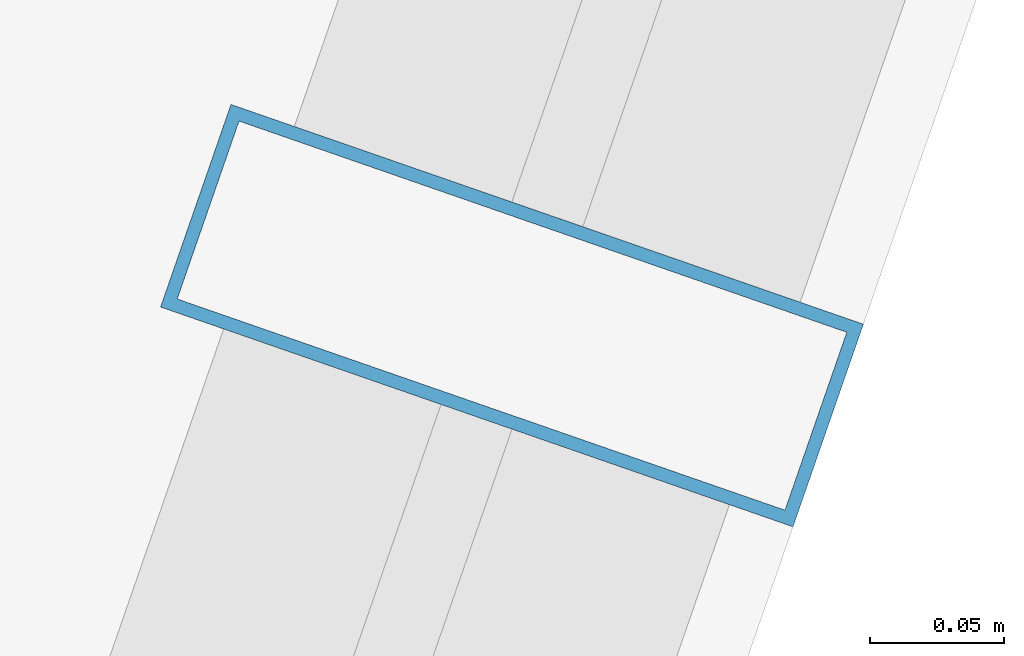
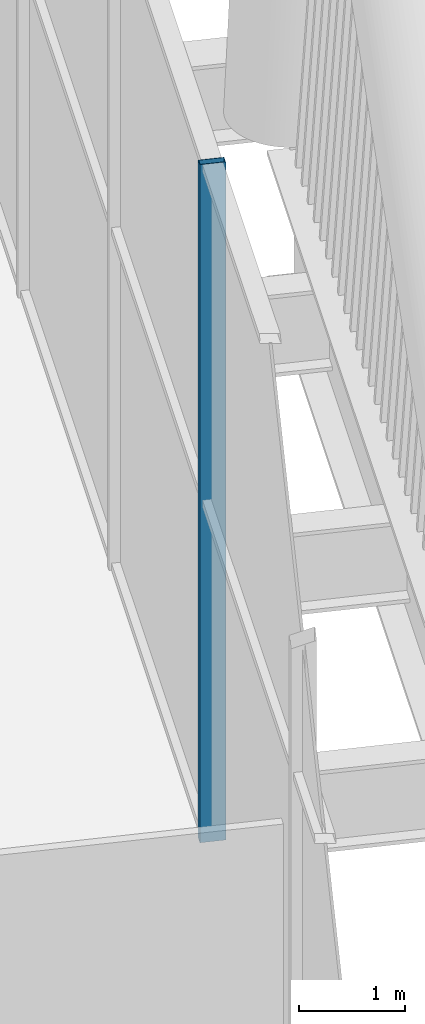
# One storey, part 7 of 63: 1 member, 1 element without a shape of its own.
"""IFC4 building model written with IfcOpenShell, lengths in metres."""

from ifc_helpers import new_model, si_unit, direction, frame, origin, origin_2d, place, context, subcontext, project, spatial, hollow_rectangle, extrude, material, layer, layer_set, material_profile, profile_set, type_object, element, aggregate, save


model = new_model("IFC4")

# Units and contexts
model_context = context("Model", 3, precision=1e-05, world=origin(), true_north=direction((0.0, 1.0)))
body_context = subcontext(model_context, "Body", "Model", "MODEL_VIEW")
ifc_project = project(units=[si_unit("LENGTHUNIT", "METRE"), si_unit("AREAUNIT", "SQUARE_METRE"), si_unit("VOLUMEUNIT", "CUBIC_METRE"), si_unit("PLANEANGLEUNIT", "RADIAN"), si_unit("MASSUNIT", "GRAM", prefix="KILO")], contexts=[model_context])

# Site, building, storey
site_placement = place(None, origin())
site = spatial("IfcSite", under=ifc_project, at=site_placement, CompositionType="ELEMENT")
building_placement = place(site_placement, origin())
building = spatial("IfcBuilding", under=site, at=building_placement, Name="Tarsis Ring Headquarters", CompositionType="ELEMENT")
storey_placement = place(building_placement, frame((0.0, 0.0, 139.60009765625)))
storey = spatial("IfcBuildingStorey", under=building, at=storey_placement, Name="L32", CompositionType="ELEMENT", Elevation=139.60009765625)

# Curtain wall, member
ifc_material_1 = material(Name="Aluminium curtain wall", Category="aluminium")
ifc_layer = layer(ifc_material_1, 0.25)
ifc_layer_set = layer_set([ifc_layer], Name="Curtain wall sky lobby")
curtain_wall_type = type_object("IfcCurtainWallType", Name="Curtain wall sky lobby", PredefinedType="NOTDEFINED", material=ifc_layer_set)
curtain_wall_placement = place(storey_placement, origin())
curtain_wall = element("IfcCurtainWall", 1, at=curtain_wall_placement, inside=storey, type_object=curtain_wall_type, Name="Curtain wall L32-16", PredefinedType="NOTDEFINED")
ifc_material_2 = material(Name="Aluminium mullion", Category="aluminium")
ifc_material_profile = material_profile(ifc_material_2, hollow_rectangle(XDim=0.25, YDim=0.080078125, WallThickness=0.0048828125, at=origin_2d()), Name="RHS 250x80x5")
ifc_profile_set = profile_set([ifc_material_profile], Name="Aluminium mullion")
member_type = type_object("IfcMemberType", Name="Curtain wall mullion sky lobby RHS 250x80x5", PredefinedType="MULLION", material=ifc_profile_set)
member_placement = place(storey_placement, frame((-0.791748046875, -38.460205078125, 0.0), z_axis=(0.0, 0.0, 1.0), x_axis=(-0.944605723576, 0.32820729271, 0.0)))
member = element("IfcMember", 2, at=member_placement, type_object=member_type, Name="CW-S mullion 3", PredefinedType="MULLION", context=body_context, shape_type="SweptSolid", body=[
    extrude(hollow_rectangle(XDim=0.25, YDim=0.080078125, WallThickness=0.0048828125, at=origin_2d()), origin(), (0.0, 0.0, 1.0), 7.83984375),
])
aggregate(curtain_wall, [member])

save(model, "model.ifc")
